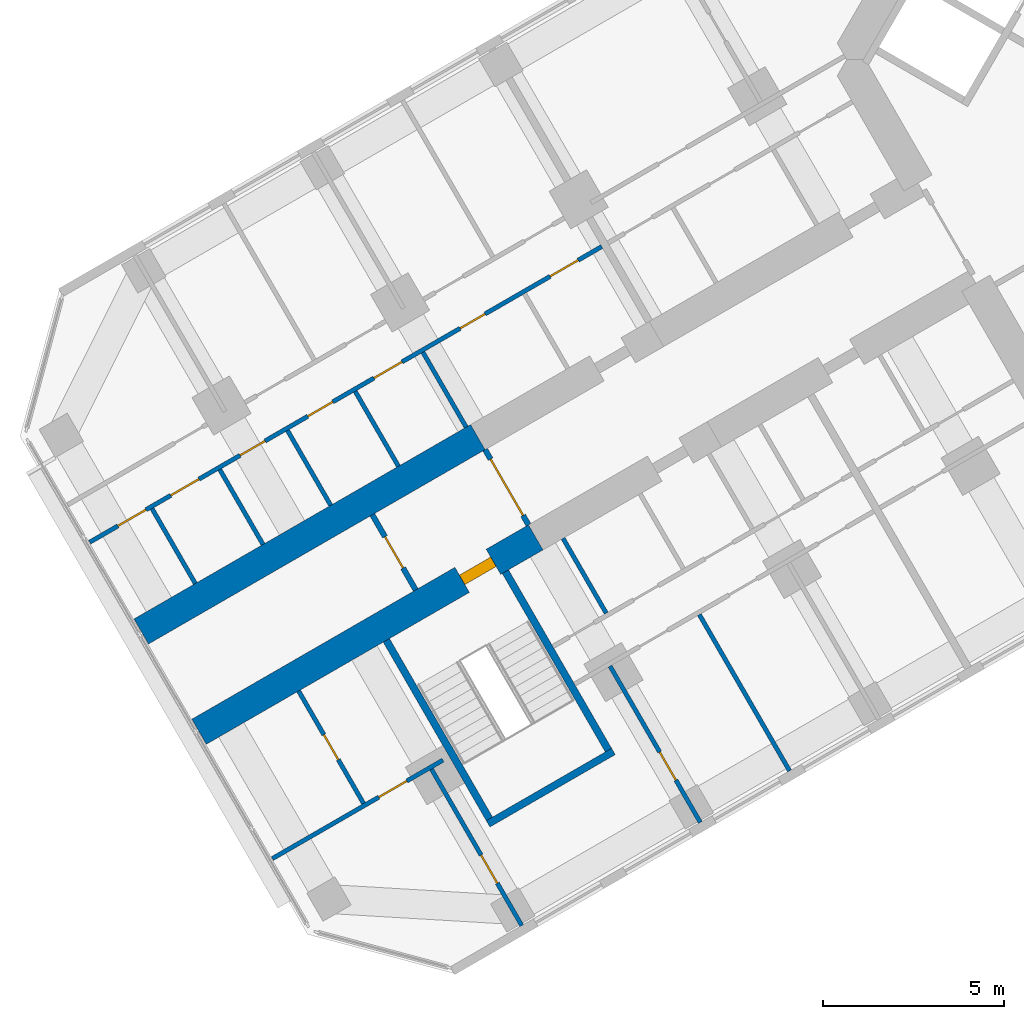
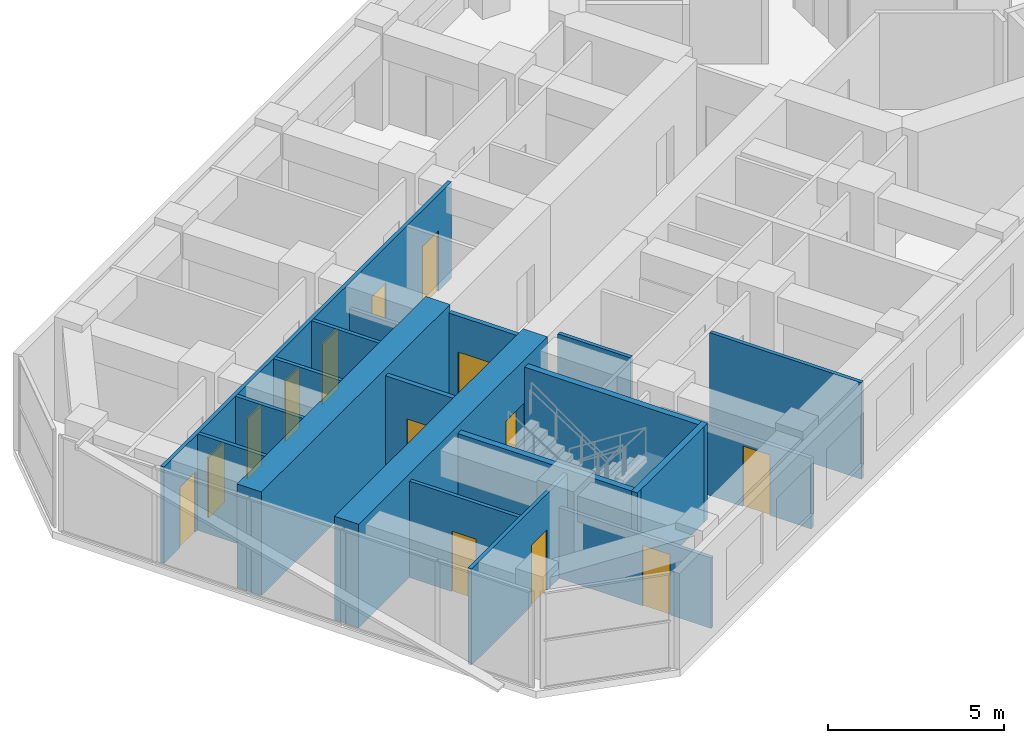
# One storey, part 10 of 19: 19 walls, 14 doors, 14 openings.
"""IFC4 building model written with IfcOpenShell, lengths in metres."""

from ifc_helpers import new_model, si_unit, direction, frame, frame_2d, origin, place, context, subcontext, project, spatial, rectangle, extrude, material, layer, layer_set, type_object, element, fill, save


model = new_model("IFC4")

# Units and contexts
model_context = context("Model", 3, precision=1e-05, world=origin(), true_north=direction((0.0, 1.0)))
body_context = subcontext(model_context, "Body", "Model", "MODEL_VIEW")
ifc_project = project(units=[si_unit("LENGTHUNIT", "METRE"), si_unit("AREAUNIT", "SQUARE_METRE"), si_unit("VOLUMEUNIT", "CUBIC_METRE"), si_unit("PLANEANGLEUNIT", "RADIAN"), si_unit("MASSUNIT", "GRAM", prefix="KILO")], contexts=[model_context])

# Site, building, storey
site_placement = place(None, origin())
site = spatial("IfcSite", under=ifc_project, at=site_placement, CompositionType="ELEMENT")
building_placement = place(site_placement, origin())
building = spatial("IfcBuilding", under=site, at=building_placement, Name="Kosmar Iwan School Tower", CompositionType="ELEMENT")
storey_placement = place(building_placement, frame((0.0, 0.0, 141.800048828125)))
storey = spatial("IfcBuildingStorey", under=building, at=storey_placement, Name="L35", CompositionType="ELEMENT", Elevation=141.800048828125)

# Wall, opening, door
ifc_material_1 = material(Name="Concrete C50/60", Category="concrete")
ifc_layer_1 = layer(ifc_material_1, 0.800048828125)
ifc_layer_set_1 = layer_set([ifc_layer_1], Name="Corridor buttress wall 800")
wall_type_1 = type_object("IfcWallType", Name="Corridor buttress wall 800", PredefinedType="SHEAR", material=ifc_layer_set_1)
wall_1_placement = place(storey_placement, frame((-19.681396484375, -13.210693359375, 0.0), z_axis=(0.0, 0.0, 1.0), x_axis=(-0.866028186671, -0.499995179869, 0.0)))
wall_1 = element("IfcWall", 1, at=wall_1_placement, inside=storey, type_object=wall_type_1, Name="Corridor wall BL bay 3", PredefinedType="SHEAR", context=body_context, shape_type="SweptSolid", body=[
    extrude(rectangle(XDim=10.7451171875, YDim=0.800048828125, at=frame_2d((5.37255859375, 0.0))), origin(), (0.0, 0.0, 1.0), 3.599853515625),
])
opening_1_placement = place(wall_1_placement, frame((1.35009765625, 0.0, 0.0)))
opening_1 = element("IfcOpeningElement", 2, at=opening_1_placement, cuts=wall_1, Name="Opening D6", PredefinedType="OPENING", context=body_context, shape_type="SweptSolid", body=[
    extrude(rectangle(XDim=1.0, YDim=2.10009765625, at=frame_2d((0.5, 1.050048828125))), frame((0.0, 0.412109375, 0.0), z_axis=(0.0, -1.0, 0.0), x_axis=(1.0, 0.0, 0.0)), (0.0, 0.0, 1.0), 0.823974609375),
])
ifc_material_2 = material(Name="Steel fire door", Category="steel")
door_type_1 = type_object("IfcDoorType", Name="Stair door 1000x2100", OperationType="SINGLE_SWING_LEFT", PredefinedType="DOOR", material=ifc_material_2)
door_1_placement = place(opening_1_placement, origin())
door_1 = element("IfcDoor", 3, at=door_1_placement, inside=storey, type_object=door_type_1, Name="Stair WS2 door L35", OperationType="SINGLE_SWING_LEFT", OverallHeight=2.10009765625, OverallWidth=1.0, PredefinedType="DOOR", context=body_context, shape_type="SweptSolid", body=[
    extrude(rectangle(XDim=1.0, YDim=2.10009765625, at=frame_2d((0.5, 1.050048828125))), frame((0.0, 0.14990234375, 0.0), z_axis=(0.0, -1.0, 0.0), x_axis=(1.0, 0.0, 0.0)), (0.0, 0.0, 1.0), 0.300048828125),
])
fill(opening_1, door_1)

# Wall
wall_2_placement = place(storey_placement, frame((-21.281494140625, -10.439453125, 0.0), z_axis=(0.0, 0.0, 1.0), x_axis=(-0.866032345022, -0.499987977232, 0.0)))
element("IfcWall", 4, at=wall_2_placement, inside=storey, type_object=wall_type_1, Name="Corridor wall BR bay 3", PredefinedType="SHEAR", context=body_context, shape_type="SweptSolid", body=[
    extrude(rectangle(XDim=10.744873046875, YDim=0.800048828125, at=frame_2d((5.37255859375, 0.0))), origin(), (0.0, 0.0, 1.0), 3.599853515625),
])

# Wall, opening, door
ifc_material_3 = material(Name="Gypsum board on steel studs, fire-rated", Category="steel")
ifc_layer_2 = layer(ifc_material_3, 0.14990234375)
ifc_layer_set_2 = layer_set([ifc_layer_2], Name="Corridor end wall 150")
wall_type_2 = type_object("IfcWallType", Name="Corridor end wall 150", PredefinedType="PARTITIONING", material=ifc_layer_set_2)
wall_3_placement = place(storey_placement, frame((-24.19921875, -12.585693359375, 0.0), z_axis=(0.0, 0.0, 1.0), x_axis=(0.499957262057, -0.866050077142, 0.0)))
wall_3 = element("IfcWall", 5, at=wall_3_placement, inside=storey, type_object=wall_type_2, Name="Partition L35-B-CE", PredefinedType="PARTITIONING", context=body_context, shape_type="SweptSolid", body=[
    extrude(rectangle(XDim=2.400146484375, YDim=0.14990234375, at=frame_2d((1.2001953125, 0.0))), origin(), (0.0, 0.0, 1.0), 3.349853515625),
])
opening_2_placement = place(wall_3_placement, frame((0.699951171875, 0.0, 0.0)))
opening_2 = element("IfcOpeningElement", 6, at=opening_2_placement, cuts=wall_3, Name="Opening D13", PredefinedType="OPENING", context=body_context, shape_type="SweptSolid", body=[
    extrude(rectangle(XDim=1.0, YDim=2.10009765625, at=frame_2d((0.5, 1.050048828125))), frame((0.0, 0.0869140625, 0.0), z_axis=(0.0, -1.0, 0.0), x_axis=(1.0, 0.0, 0.0)), (0.0, 0.0, 1.0), 0.173828125),
])
ifc_material_4 = material(Name="Timber fire door with vision panel", Category="wood")
door_type_2 = type_object("IfcDoorType", Name="Corridor end door 1000x2100", OperationType="SINGLE_SWING_LEFT", PredefinedType="DOOR", material=ifc_material_4)
door_2_placement = place(opening_2_placement, origin())
door_2 = element("IfcDoor", 7, at=door_2_placement, inside=storey, type_object=door_type_2, Name="Laundry and drying room door L35-B", OperationType="SINGLE_SWING_LEFT", OverallHeight=2.10009765625, OverallWidth=1.0, PredefinedType="DOOR", context=body_context, shape_type="SweptSolid", body=[
    extrude(rectangle(XDim=1.0, YDim=2.10009765625, at=frame_2d((0.5, 1.050048828125))), frame((0.0, 0.02490234375, 0.0), z_axis=(0.0, -1.0, 0.0), x_axis=(1.0, 0.0, 0.0)), (0.0, 0.0, 1.0), 0.050048828125),
])
fill(opening_2, door_2)

wall_4_placement = place(storey_placement, frame((-21.08154296875, -10.78564453125, 0.0), z_axis=(0.0, 0.0, 1.0), x_axis=(0.499957262057, -0.866050077142, 0.0)))
wall_4 = element("IfcWall", 8, at=wall_4_placement, inside=storey, type_object=wall_type_2, Name="Partition L35-B-HW", PredefinedType="PARTITIONING", context=body_context, shape_type="SweptSolid", body=[
    extrude(rectangle(XDim=2.400146484375, YDim=0.14990234375, at=frame_2d((1.2001953125, 0.0))), origin(), (0.0, 0.0, 1.0), 3.349853515625),
])
opening_3_placement = place(wall_4_placement, frame((0.300048828125, 0.0, 0.0)))
opening_3 = element("IfcOpeningElement", 9, at=opening_3_placement, cuts=wall_4, Name="Opening D9", PredefinedType="OPENING", context=body_context, shape_type="SweptSolid", body=[
    extrude(rectangle(XDim=1.800048828125, YDim=2.10009765625, at=frame_2d((0.89990234375, 1.050048828125))), frame((0.0, 0.0869140625, 0.0), z_axis=(0.0, -1.0, 0.0), x_axis=(1.0, 0.0, 0.0)), (0.0, 0.0, 1.0), 0.173828125),
])
ifc_material_5 = material(Name="Steel framed glazed smoke door", Category="steel")
door_type_3 = type_object("IfcDoorType", Name="Corridor smoke door pair 1800x2100", OperationType="DOUBLE_DOOR_DOUBLE_SWING", PredefinedType="DOOR", material=ifc_material_5)
door_3_placement = place(opening_3_placement, origin())
door_3 = element("IfcDoor", 10, at=door_3_placement, inside=storey, type_object=door_type_3, Name="Hashti vestibule smoke doors L35-B", OperationType="DOUBLE_DOOR_DOUBLE_SWING", OverallHeight=2.10009765625, OverallWidth=1.800048828125, PredefinedType="DOOR", context=body_context, shape_type="SweptSolid", body=[
    extrude(rectangle(XDim=1.800048828125, YDim=2.10009765625, at=frame_2d((0.89990234375, 1.050048828125))), frame((0.0, 0.02490234375, 0.0), z_axis=(0.0, -1.0, 0.0), x_axis=(1.0, 0.0, 0.0)), (0.0, 0.0, 1.0), 0.050048828125),
])
fill(opening_3, door_3)

# Walls
ifc_material_6 = material(Name="Gypsum board on steel studs", Category="steel")
ifc_layer_3 = layer(ifc_material_6, 0.1201171875)
ifc_layer_set_3 = layer_set([ifc_layer_3], Name="Dwelling partition 120")
wall_type_3 = type_object("IfcWallType", Name="Dwelling partition 120", PredefinedType="PARTITIONING", material=ifc_layer_set_3)
wall_5_placement = place(storey_placement, frame((-15.158447265625, -15.344970703125, 0.0), z_axis=(0.0, 0.0, 1.0), x_axis=(0.500011847778, -0.866018563358, 0.0)))
element("IfcWall", 11, at=wall_5_placement, inside=storey, type_object=wall_type_3, Name="Partition L35-BL2-X2", PredefinedType="PARTITIONING", context=body_context, shape_type="SweptSolid", body=[
    extrude(rectangle(XDim=4.990234375, YDim=0.1201171875, at=frame_2d((2.4951171875, 0.0))), origin(), (0.0, 0.0, 1.0), 3.349853515625),
])
wall_6_placement = place(storey_placement, frame((-18.92724609375, -13.237060546875, 0.0), z_axis=(0.0, 0.0, 1.0), x_axis=(0.500017192868, -0.86601547725, 0.0)))
element("IfcWall", 12, at=wall_6_placement, inside=storey, type_object=wall_type_3, Name="Partition L35-BL2-Y4", PredefinedType="PARTITIONING", context=body_context, shape_type="SweptSolid", body=[
    extrude(rectangle(XDim=2.39013671875, YDim=0.1201171875, at=frame_2d((1.195068359375, 0.0))), origin(), (0.0, 0.0, 1.0), 3.349853515625),
])

# Wall, opening, door
wall_7_placement = place(storey_placement, frame((-17.62646484375, -16.77001953125, 0.0), z_axis=(0.0, 0.0, 1.0), x_axis=(0.499975153383, -0.86603974851, 0.0)))
wall_7 = element("IfcWall", 13, at=wall_7_placement, inside=storey, type_object=wall_type_3, Name="Partition L35-BL2-TB", PredefinedType="PARTITIONING", context=body_context, shape_type="SweptSolid", body=[
    extrude(rectangle(XDim=4.989990234375, YDim=0.1201171875, at=frame_2d((2.4951171875, 0.0))), origin(), (0.0, 0.0, 1.0), 2.449951171875),
])
opening_4_placement = place(wall_7_placement, frame((2.739990234375, 0.0, 0.0)))
opening_4 = element("IfcOpeningElement", 14, at=opening_4_placement, cuts=wall_7, Name="Opening D2", PredefinedType="OPENING", context=body_context, shape_type="SweptSolid", body=[
    extrude(rectangle(XDim=0.89990234375, YDim=2.10009765625, at=frame_2d((0.449951171875, 1.050048828125))), frame((0.0, 0.072021484375, 0.0), z_axis=(0.0, -1.0, 0.0), x_axis=(1.0, 0.0, 0.0)), (0.0, 0.0, 1.0), 0.14404296875),
])
ifc_material_7 = material(Name="Timber door in timber frame", Category="wood")
door_type_4 = type_object("IfcDoorType", Name="Internal door 900x2100", OperationType="SINGLE_SWING_LEFT", PredefinedType="DOOR", material=ifc_material_7)
door_4_placement = place(opening_4_placement, origin())
door_4 = element("IfcDoor", 15, at=door_4_placement, inside=storey, type_object=door_type_4, Name="Study door L35-BL2-F3", OperationType="SINGLE_SWING_RIGHT", OverallHeight=2.10009765625, OverallWidth=0.89990234375, PredefinedType="DOOR", context=body_context, shape_type="SweptSolid", body=[
    extrude(rectangle(XDim=0.89990234375, YDim=2.10009765625, at=frame_2d((0.449951171875, 1.050048828125))), frame((0.0, 0.02490234375, 0.0), z_axis=(0.0, -1.0, 0.0), x_axis=(1.0, 0.0, 0.0)), (0.0, 0.0, 1.0), 0.050048828125),
])
fill(opening_4, door_4)

wall_8_placement = place(storey_placement, frame((-22.562744140625, -19.6201171875, 0.0), z_axis=(0.0, 0.0, 1.0), x_axis=(0.499996339024, -0.86602751744, 0.0)))
wall_8 = element("IfcWall", 16, at=wall_8_placement, inside=storey, type_object=wall_type_3, Name="Partition L35-BL2-TX", PredefinedType="PARTITIONING", context=body_context, shape_type="SweptSolid", body=[
    extrude(rectangle(XDim=4.98974609375, YDim=0.1201171875, at=frame_2d((2.494873046875, 0.0))), origin(), (0.0, 0.0, 1.0), 2.449951171875),
])
opening_5_placement = place(wall_8_placement, frame((2.739990234375, 0.0, 0.0)))
opening_5 = element("IfcOpeningElement", 17, at=opening_5_placement, cuts=wall_8, Name="Opening D2", PredefinedType="OPENING", context=body_context, shape_type="SweptSolid", body=[
    extrude(rectangle(XDim=0.89990234375, YDim=2.10009765625, at=frame_2d((0.449951171875, 1.050048828125))), frame((0.0, 0.072021484375, 0.0), z_axis=(0.0, -1.0, 0.0), x_axis=(1.0, 0.0, 0.0)), (0.0, 0.0, 1.0), 0.14404296875),
])
door_5_placement = place(opening_5_placement, origin())
door_5 = element("IfcDoor", 18, at=door_5_placement, inside=storey, type_object=door_type_4, Name="Study door L35-BL2-T1", OperationType="SINGLE_SWING_RIGHT", OverallHeight=2.10009765625, OverallWidth=0.89990234375, PredefinedType="DOOR", context=body_context, shape_type="SweptSolid", body=[
    extrude(rectangle(XDim=0.89990234375, YDim=2.10009765625, at=frame_2d((0.449951171875, 1.050048828125))), frame((0.0, 0.02490234375, 0.0), z_axis=(0.0, -1.0, 0.0), x_axis=(1.0, 0.0, 0.0)), (0.0, 0.0, 1.0), 0.050048828125),
])
fill(opening_5, door_5)

wall_9_placement = place(storey_placement, frame((-22.246337890625, -19.3681640625, 0.0), z_axis=(0.0, 0.0, 1.0), x_axis=(-0.866035508231, -0.499982498177, 0.0)))
wall_9 = element("IfcWall", 19, at=wall_9_placement, inside=storey, type_object=wall_type_3, Name="Partition L35-BL2-TW", PredefinedType="PARTITIONING", context=body_context, shape_type="SweptSolid", body=[
    extrude(rectangle(XDim=5.445068359375, YDim=0.1201171875, at=frame_2d((2.72265625, 0.0))), origin(), (0.0, 0.0, 1.0), 3.349853515625),
])
opening_6_placement = place(wall_9_placement, frame((1.14990234375, 0.0, 0.0)))
opening_6 = element("IfcOpeningElement", 20, at=opening_6_placement, cuts=wall_9, Name="Opening D2", PredefinedType="OPENING", context=body_context, shape_type="SweptSolid", body=[
    extrude(rectangle(XDim=0.89990234375, YDim=2.10009765625, at=frame_2d((0.449951171875, 1.050048828125))), frame((0.0, 0.072021484375, 0.0), z_axis=(0.0, -1.0, 0.0), x_axis=(1.0, 0.0, 0.0)), (0.0, 0.0, 1.0), 0.14404296875),
])
door_6_placement = place(opening_6_placement, origin())
door_6 = element("IfcDoor", 21, at=door_6_placement, inside=storey, type_object=door_type_4, Name="Dressing room door L35-BL2-T3", OperationType="SINGLE_SWING_LEFT", OverallHeight=2.10009765625, OverallWidth=0.89990234375, PredefinedType="DOOR", context=body_context, shape_type="SweptSolid", body=[
    extrude(rectangle(XDim=0.89990234375, YDim=2.10009765625, at=frame_2d((0.449951171875, 1.050048828125))), frame((0.0, 0.02490234375, 0.0), z_axis=(0.0, -1.0, 0.0), x_axis=(1.0, 0.0, 0.0)), (0.0, 0.0, 1.0), 0.050048828125),
])
fill(opening_6, door_6)

wall_10_placement = place(storey_placement, frame((-26.236572265625, -17.45703125, 0.0), z_axis=(0.0, 0.0, 1.0), x_axis=(0.50002266109, -0.866012320003, 0.0)))
wall_10 = element("IfcWall", 22, at=wall_10_placement, inside=storey, type_object=wall_type_3, Name="Partition L35-BL2-TY", PredefinedType="PARTITIONING", context=body_context, shape_type="SweptSolid", body=[
    extrude(rectangle(XDim=3.590087890625, YDim=0.1201171875, at=frame_2d((1.794921875, 0.0))), origin(), (0.0, 0.0, 1.0), 3.349853515625),
])
opening_7_placement = place(wall_10_placement, frame((1.39501953125, 0.0, 0.0)))
opening_7 = element("IfcOpeningElement", 23, at=opening_7_placement, cuts=wall_10, Name="Opening D3", PredefinedType="OPENING", context=body_context, shape_type="SweptSolid", body=[
    extrude(rectangle(XDim=0.800048828125, YDim=2.10009765625, at=frame_2d((0.39990234375, 1.050048828125))), frame((0.0, 0.072021484375, 0.0), z_axis=(0.0, -1.0, 0.0), x_axis=(1.0, 0.0, 0.0)), (0.0, 0.0, 1.0), 0.14404296875),
])
ifc_material_8 = material(Name="Timber door in timber frame", Category="wood")
door_type_5 = type_object("IfcDoorType", Name="Sanitary room door 800x2100", OperationType="SINGLE_SWING_LEFT", PredefinedType="DOOR", material=ifc_material_8)
door_7_placement = place(opening_7_placement, origin())
door_7 = element("IfcDoor", 24, at=door_7_placement, inside=storey, type_object=door_type_5, Name="Shower room door L35-BL2-T4", OperationType="SINGLE_SWING_RIGHT", OverallHeight=2.10009765625, OverallWidth=0.800048828125, PredefinedType="DOOR", context=body_context, shape_type="SweptSolid", body=[
    extrude(rectangle(XDim=0.800048828125, YDim=2.10009765625, at=frame_2d((0.39990234375, 1.050048828125))), frame((0.0, 0.02490234375, 0.0), z_axis=(0.0, -1.0, 0.0), x_axis=(1.0, 0.0, 0.0)), (0.0, 0.0, 1.0), 0.050048828125),
])
fill(opening_7, door_7)

# Wall, openings, doors
wall_11_placement = place(storey_placement, frame((-17.856689453125, -5.171142578125, 0.0), z_axis=(0.0, 0.0, 1.0), x_axis=(-0.866023907196, -0.500002592159, 0.0)))
wall_11 = element("IfcWall", 25, at=wall_11_placement, inside=storey, type_object=wall_type_3, Name="Partition L35-BR2-W1", PredefinedType="PARTITIONING", context=body_context, shape_type="SweptSolid", body=[
    extrude(rectangle(XDim=16.34521484375, YDim=0.1201171875, at=frame_2d((8.172607421875, 0.0))), origin(), (0.0, 0.0, 1.0), 3.349853515625),
])
opening_8_placement = place(wall_11_placement, frame((0.75, 0.0, 0.0)))
opening_8 = element("IfcOpeningElement", 26, at=opening_8_placement, cuts=wall_11, Name="Opening D2", PredefinedType="OPENING", context=body_context, shape_type="SweptSolid", body=[
    extrude(rectangle(XDim=0.89990234375, YDim=2.10009765625, at=frame_2d((0.449951171875, 1.050048828125))), frame((0.0, 0.072021484375, 0.0), z_axis=(0.0, -1.0, 0.0), x_axis=(1.0, 0.0, 0.0)), (0.0, 0.0, 1.0), 0.14404296875),
])
opening_9_placement = place(wall_11_placement, frame((3.72119140625, 0.0, 0.0)))
opening_9 = element("IfcOpeningElement", 27, at=opening_9_placement, cuts=wall_11, Name="Opening D3", PredefinedType="OPENING", context=body_context, shape_type="SweptSolid", body=[
    extrude(rectangle(XDim=0.800048828125, YDim=2.10009765625, at=frame_2d((0.39990234375, 1.050048828125))), frame((0.0, 0.072021484375, 0.0), z_axis=(0.0, -1.0, 0.0), x_axis=(1.0, 0.0, 0.0)), (0.0, 0.0, 1.0), 0.14404296875),
])
opening_10_placement = place(wall_11_placement, frame((6.373046875, 0.0, 0.0)))
opening_10 = element("IfcOpeningElement", 28, at=opening_10_placement, cuts=wall_11, Name="Opening D2", PredefinedType="OPENING", context=body_context, shape_type="SweptSolid", body=[
    extrude(rectangle(XDim=0.89990234375, YDim=2.10009765625, at=frame_2d((0.449951171875, 1.050048828125))), frame((0.0, 0.072021484375, 0.0), z_axis=(0.0, -1.0, 0.0), x_axis=(1.0, 0.0, 0.0)), (0.0, 0.0, 1.0), 0.14404296875),
])
opening_11_placement = place(wall_11_placement, frame((8.584716796875, 0.0, 0.0)))
opening_11 = element("IfcOpeningElement", 29, at=opening_11_placement, cuts=wall_11, Name="Opening D3", PredefinedType="OPENING", context=body_context, shape_type="SweptSolid", body=[
    extrude(rectangle(XDim=0.800048828125, YDim=2.10009765625, at=frame_2d((0.39990234375, 1.050048828125))), frame((0.0, 0.072021484375, 0.0), z_axis=(0.0, -1.0, 0.0), x_axis=(1.0, 0.0, 0.0)), (0.0, 0.0, 1.0), 0.14404296875),
])
opening_12_placement = place(wall_11_placement, frame((10.74609375, 0.0, 0.0)))
opening_12 = element("IfcOpeningElement", 30, at=opening_12_placement, cuts=wall_11, Name="Opening D3", PredefinedType="OPENING", context=body_context, shape_type="SweptSolid", body=[
    extrude(rectangle(XDim=0.800048828125, YDim=2.10009765625, at=frame_2d((0.39990234375, 1.050048828125))), frame((0.0, 0.072021484375, 0.0), z_axis=(0.0, -1.0, 0.0), x_axis=(1.0, 0.0, 0.0)), (0.0, 0.0, 1.0), 0.14404296875),
])
opening_13_placement = place(wall_11_placement, frame((12.857666015625, 0.0, 0.0)))
opening_13 = element("IfcOpeningElement", 31, at=opening_13_placement, cuts=wall_11, Name="Opening D2", PredefinedType="OPENING", context=body_context, shape_type="SweptSolid", body=[
    extrude(rectangle(XDim=0.89990234375, YDim=2.10009765625, at=frame_2d((0.449951171875, 1.050048828125))), frame((0.0, 0.072021484375, 0.0), z_axis=(0.0, -1.0, 0.0), x_axis=(1.0, 0.0, 0.0)), (0.0, 0.0, 1.0), 0.14404296875),
])
opening_14_placement = place(wall_11_placement, frame((14.548583984375, 0.0, 0.0)))
opening_14 = element("IfcOpeningElement", 32, at=opening_14_placement, cuts=wall_11, Name="Opening D2", PredefinedType="OPENING", context=body_context, shape_type="SweptSolid", body=[
    extrude(rectangle(XDim=0.89990234375, YDim=2.10009765625, at=frame_2d((0.449951171875, 1.050048828125))), frame((0.0, 0.072021484375, 0.0), z_axis=(0.0, -1.0, 0.0), x_axis=(1.0, 0.0, 0.0)), (0.0, 0.0, 1.0), 0.14404296875),
])
door_8_placement = place(opening_8_placement, origin())
door_8 = element("IfcDoor", 33, at=door_8_placement, inside=storey, type_object=door_type_4, Name="Entrance hall door L35-BR2-S1", OperationType="SINGLE_SWING_LEFT", OverallHeight=2.10009765625, OverallWidth=0.89990234375, PredefinedType="DOOR", context=body_context, shape_type="SweptSolid", body=[
    extrude(rectangle(XDim=0.89990234375, YDim=2.10009765625, at=frame_2d((0.449951171875, 1.050048828125))), frame((0.0, 0.02490234375, 0.0), z_axis=(0.0, -1.0, 0.0), x_axis=(1.0, 0.0, 0.0)), (0.0, 0.0, 1.0), 0.050048828125),
])
fill(opening_8, door_8)
door_9_placement = place(opening_10_placement, origin())
door_9 = element("IfcDoor", 34, at=door_9_placement, inside=storey, type_object=door_type_4, Name="Pantry door L35-BR2-S3", OperationType="SINGLE_SWING_LEFT", OverallHeight=2.10009765625, OverallWidth=0.89990234375, PredefinedType="DOOR", context=body_context, shape_type="SweptSolid", body=[
    extrude(rectangle(XDim=0.89990234375, YDim=2.10009765625, at=frame_2d((0.449951171875, 1.050048828125))), frame((0.0, 0.02490234375, 0.0), z_axis=(0.0, -1.0, 0.0), x_axis=(1.0, 0.0, 0.0)), (0.0, 0.0, 1.0), 0.050048828125),
])
fill(opening_10, door_9)
door_10_placement = place(opening_13_placement, origin())
door_10 = element("IfcDoor", 35, at=door_10_placement, inside=storey, type_object=door_type_4, Name="Utility room door L35-BR2-S6", OperationType="SINGLE_SWING_RIGHT", OverallHeight=2.10009765625, OverallWidth=0.89990234375, PredefinedType="DOOR", context=body_context, shape_type="SweptSolid", body=[
    extrude(rectangle(XDim=0.89990234375, YDim=2.10009765625, at=frame_2d((0.449951171875, 1.050048828125))), frame((0.0, 0.02490234375, 0.0), z_axis=(0.0, -1.0, 0.0), x_axis=(1.0, 0.0, 0.0)), (0.0, 0.0, 1.0), 0.050048828125),
])
fill(opening_13, door_10)
door_11_placement = place(opening_14_placement, origin())
door_11 = element("IfcDoor", 36, at=door_11_placement, inside=storey, type_object=door_type_4, Name="Dressing room door L35-BR2-S7", OperationType="SINGLE_SWING_LEFT", OverallHeight=2.10009765625, OverallWidth=0.89990234375, PredefinedType="DOOR", context=body_context, shape_type="SweptSolid", body=[
    extrude(rectangle(XDim=0.89990234375, YDim=2.10009765625, at=frame_2d((0.449951171875, 1.050048828125))), frame((0.0, 0.02490234375, 0.0), z_axis=(0.0, -1.0, 0.0), x_axis=(1.0, 0.0, 0.0)), (0.0, 0.0, 1.0), 0.050048828125),
])
fill(opening_14, door_11)
door_12_placement = place(opening_9_placement, origin())
door_12 = element("IfcDoor", 37, at=door_12_placement, inside=storey, type_object=door_type_5, Name="Bathroom door L35-BR2-S2", OperationType="SINGLE_SWING_RIGHT", OverallHeight=2.10009765625, OverallWidth=0.800048828125, PredefinedType="DOOR", context=body_context, shape_type="SweptSolid", body=[
    extrude(rectangle(XDim=0.800048828125, YDim=2.10009765625, at=frame_2d((0.39990234375, 1.050048828125))), frame((0.0, 0.02490234375, 0.0), z_axis=(0.0, -1.0, 0.0), x_axis=(1.0, 0.0, 0.0)), (0.0, 0.0, 1.0), 0.050048828125),
])
fill(opening_9, door_12)
door_13_placement = place(opening_11_placement, origin())
door_13 = element("IfcDoor", 38, at=door_13_placement, inside=storey, type_object=door_type_5, Name="WC door L35-BR2-S4", OperationType="SINGLE_SWING_RIGHT", OverallHeight=2.10009765625, OverallWidth=0.800048828125, PredefinedType="DOOR", context=body_context, shape_type="SweptSolid", body=[
    extrude(rectangle(XDim=0.800048828125, YDim=2.10009765625, at=frame_2d((0.39990234375, 1.050048828125))), frame((0.0, 0.02490234375, 0.0), z_axis=(0.0, -1.0, 0.0), x_axis=(1.0, 0.0, 0.0)), (0.0, 0.0, 1.0), 0.050048828125),
])
fill(opening_11, door_13)
door_14_placement = place(opening_12_placement, origin())
door_14 = element("IfcDoor", 39, at=door_14_placement, inside=storey, type_object=door_type_5, Name="Store door L35-BR2-S5", OperationType="SINGLE_SWING_LEFT", OverallHeight=2.10009765625, OverallWidth=0.800048828125, PredefinedType="DOOR", context=body_context, shape_type="SweptSolid", body=[
    extrude(rectangle(XDim=0.800048828125, YDim=2.10009765625, at=frame_2d((0.39990234375, 1.050048828125))), frame((0.0, 0.02490234375, 0.0), z_axis=(0.0, -1.0, 0.0), x_axis=(1.0, 0.0, 0.0)), (0.0, 0.0, 1.0), 0.050048828125),
])
fill(opening_12, door_14)

# Walls
wall_12_placement = place(storey_placement, frame((-21.604736328125, -10.1640625, 0.0), z_axis=(0.0, 0.0, 1.0), x_axis=(-0.500017192868, 0.86601547725, 0.0)))
element("IfcWall", 40, at=wall_12_placement, inside=storey, type_object=wall_type_3, Name="Partition L35-BR2-Y2", PredefinedType="PARTITIONING", context=body_context, shape_type="SweptSolid", body=[
    extrude(rectangle(XDim=2.39013671875, YDim=0.1201171875, at=frame_2d((1.195068359375, 0.0))), origin(), (0.0, 0.0, 1.0), 2.449951171875),
])
wall_13_placement = place(storey_placement, frame((-23.476806640625, -11.244873046875, 0.0), z_axis=(0.0, 0.0, 1.0), x_axis=(-0.499940577336, 0.866059708757, 0.0)))
element("IfcWall", 41, at=wall_13_placement, inside=storey, type_object=wall_type_3, Name="Partition L35-BR2-Y3", PredefinedType="PARTITIONING", context=body_context, shape_type="SweptSolid", body=[
    extrude(rectangle(XDim=2.389892578125, YDim=0.1201171875, at=frame_2d((1.19482421875, 0.0))), origin(), (0.0, 0.0, 1.0), 3.349853515625),
])
for number, where, z_axis, x_axis, name in (
    (42, (-25.3486328125, -12.32568359375, 0.0), (0.0, 0.0, 1.0), (-0.500017192868, 0.86601547725, 0.0), "Partition L35-BR2-Y4"),
    (43, (-27.220458984375, -13.406494140625, 0.0), (0.0, 0.0, 1.0), (-0.500017192868, 0.86601547725, 0.0), "Partition L35-BR2-Y5"),
    (44, (-29.092529296875, -14.4873046875, 0.0), (0.0, 0.0, 1.0), (-0.500017192868, 0.86601547725, 0.0), "Partition L35-BR2-Y6"),
):
    element("IfcWall", number, at=place(storey_placement, frame(where, z_axis=z_axis, x_axis=x_axis)), inside=storey, type_object=wall_type_3, Name=name, PredefinedType="PARTITIONING", context=body_context, shape_type="SweptSolid", body=[
        extrude(rectangle(XDim=2.39013671875, YDim=0.1201171875, at=frame_2d((1.195068359375, 0.0))), origin(), (0.0, 0.0, 1.0), 3.349853515625),
    ])
ifc_material_9 = material(Name="Concrete C35/45", Category="concrete")
ifc_layer_4 = layer(ifc_material_9, 0.199951171875)
ifc_layer_set_4 = layer_set([ifc_layer_4], Name="Escape stair wall 200")
wall_type_4 = type_object("IfcWallType", Name="Escape stair wall 200", PredefinedType="SHEAR", material=ifc_layer_set_4)
wall_14_placement = place(storey_placement, frame((-20.520751953125, -14.156982421875, 0.0), z_axis=(0.0, 0.0, 1.0), x_axis=(0.499988710057, -0.866031921938, 0.0)))
element("IfcWall", 45, at=wall_14_placement, inside=storey, type_object=wall_type_4, Name="Stair WS2 wall", PredefinedType="SHEAR", context=body_context, shape_type="SweptSolid", body=[
    extrude(rectangle(XDim=5.900146484375, YDim=0.199951171875, at=frame_2d((2.9501953125, 0.0))), origin(), (0.0, 0.0, 1.0), 3.329833984375),
])
wall_15_placement = place(storey_placement, frame((-23.8115234375, -16.05712890625, 0.0), z_axis=(0.0, 0.0, 1.0), x_axis=(0.500006628179, -0.86602157697, 0.0)))
element("IfcWall", 46, at=wall_15_placement, inside=storey, type_object=wall_type_4, Name="Stair WS2 wall", PredefinedType="SHEAR", context=body_context, shape_type="SweptSolid", body=[
    extrude(rectangle(XDim=5.89990234375, YDim=0.199951171875, at=frame_2d((2.949951171875, 0.0))), origin(), (0.0, 0.0, 1.0), 3.329833984375),
])
wall_16_placement = place(storey_placement, frame((-17.5341796875, -19.1298828125, 0.0), z_axis=(0.0, 0.0, 1.0), x_axis=(-0.866026010844, -0.49999894854, 0.0)))
element("IfcWall", 47, at=wall_16_placement, inside=storey, type_object=wall_type_4, Name="Stair WS2 wall", PredefinedType="SHEAR", context=body_context, shape_type="SweptSolid", body=[
    extrude(rectangle(XDim=4.0, YDim=0.199951171875, at=frame_2d((2.0, 0.0))), origin(), (0.0, 0.0, 1.0), 3.329833984375),
])

save(model, "model.ifc")
